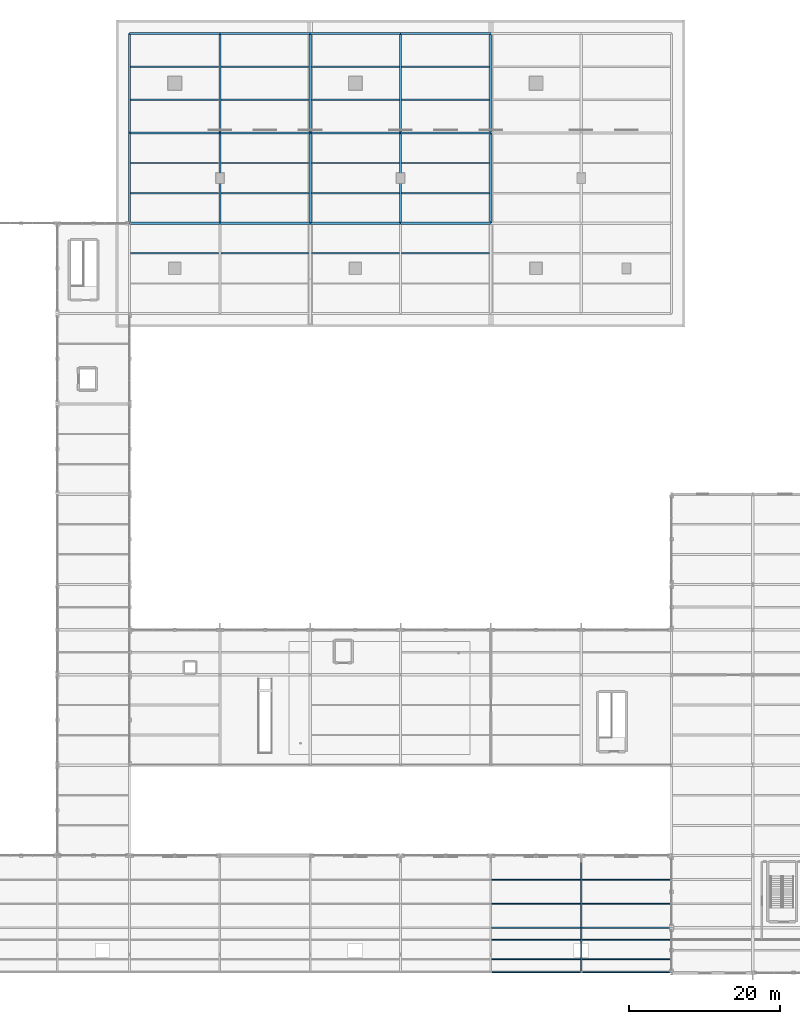
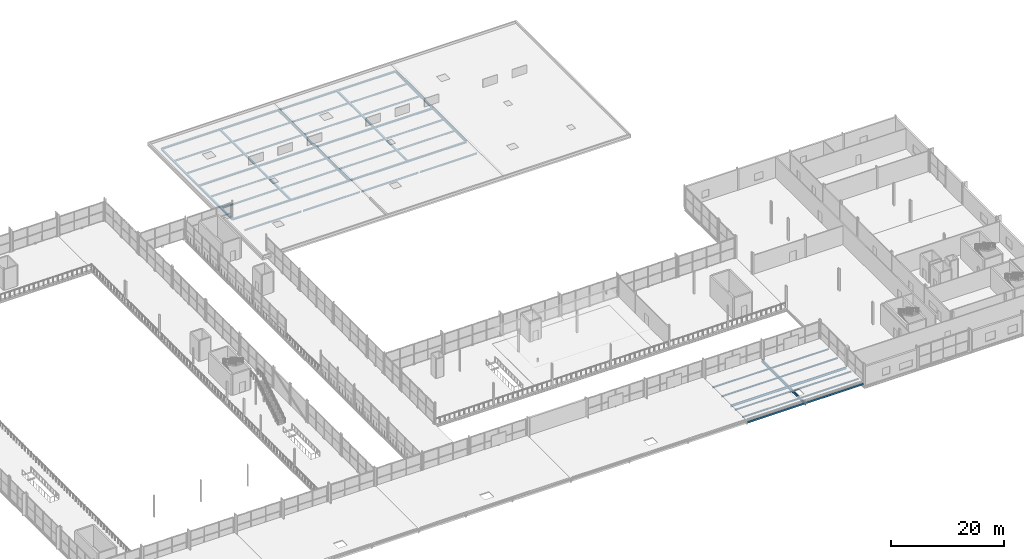
# One storey, part 96 of 159: 56 beams.
"""IFC4 building model written with IfcOpenShell, lengths in metres."""

from ifc_helpers import new_model, si_unit, direction, frame, origin, origin_2d, place, context, subcontext, project, spatial, hollow_rectangle, i_section, extrude, material, material_profile, profile_set, type_object, element, save


model = new_model("IFC4")

# Units and contexts
model_context = context("Model", 3, precision=1e-05, world=origin(), true_north=direction((0.0, 1.0)))
body_context = subcontext(model_context, "Body", "Model", "MODEL_VIEW")
ifc_project = project(units=[si_unit("LENGTHUNIT", "METRE"), si_unit("AREAUNIT", "SQUARE_METRE"), si_unit("VOLUMEUNIT", "CUBIC_METRE"), si_unit("PLANEANGLEUNIT", "RADIAN"), si_unit("MASSUNIT", "GRAM", prefix="KILO")], contexts=[model_context])

# Site, building, storey
site_placement = place(None, origin())
site = spatial("IfcSite", under=ifc_project, at=site_placement, CompositionType="ELEMENT")
building_placement = place(site_placement, origin())
building = spatial("IfcBuilding", under=site, at=building_placement, Name="Merenkruunu Market Hall", CompositionType="ELEMENT")
storey_placement = place(building_placement, frame((0.0, 0.0, 5.39990234375)))
storey = spatial("IfcBuildingStorey", under=building, at=storey_placement, Name="L01", CompositionType="ELEMENT", Elevation=5.39990234375)

# Beams
ifc_material_1 = material(Name="Steel S355ML", Category="steel")
ifc_material_profile_1 = material_profile(ifc_material_1, hollow_rectangle(XDim=0.199951171875, YDim=0.39990234375, WallThickness=0.01611328125, InnerFilletRadius=0.01611328125, OuterFilletRadius=0.031982421875, at=origin_2d()), Name="RHS 400x200x16")
ifc_profile_set_1 = profile_set([ifc_material_profile_1], Name="Steel S355ML")
beam_type_1 = type_object("IfcBeamType", Name="Perimeter Spandrel Beam SP01", PredefinedType="SPANDREL", material=ifc_profile_set_1)
for number, where, z_axis, x_axis, name in (
    (1, (124.9130859375, 0.1201171875, 0.239990234375), (1.0, 0.0, 0.0), (0.0, 1.0, 0.0), "BM-L01-SP01-1167"),
    (2, (136.9130859375, 0.1201171875, 0.239990234375), (1.0, 0.0, 0.0), (0.0, 1.0, 0.0), "BM-L01-SP01-1173"),
):
    element("IfcBeam", number, at=place(storey_placement, frame(where, z_axis=z_axis, x_axis=x_axis)), inside=storey, type_object=beam_type_1, Name=name, PredefinedType="SPANDREL", context=body_context, shape_type="SweptSolid", body=[
        extrude(hollow_rectangle(XDim=0.199951171875, YDim=0.39990234375, WallThickness=0.01611328125, InnerFilletRadius=0.01611328125, OuterFilletRadius=0.031982421875, at=origin_2d()), origin(), (0.0, 0.0, 1.0), 11.77392578125),
    ])
ifc_material_2 = material(Name="Steel S355J2", Category="steel")
ifc_material_profile_2 = material_profile(ifc_material_2, i_section(OverallWidth=0.300048828125, OverallDepth=0.360107421875, WebThickness=0.012451171875, FlangeThickness=0.0224609375, FilletRadius=0.027099609375, at=origin_2d()), Name="HEB 360")
ifc_profile_set_2 = profile_set([ifc_material_profile_2], Name="Steel S355J2")
beam_type_2 = type_object("IfcBeamType", Name="Primary Floor Girder B04", PredefinedType="BEAM", material=ifc_profile_set_2)
for number, where, z_axis, x_axis, name in (
    (3, (76.800048828125, 99.60009765625, 0.72021484375), (1.0, 0.0, 0.0), (0.0, 1.0, 0.0), "BM-L01-B04-0967"),
    (4, (88.800048828125, 99.60009765625, 0.72021484375), (1.0, 0.0, 0.0), (0.0, 1.0, 0.0), "BM-L01-B04-0968"),
    (5, (100.800048828125, 99.60009765625, 0.72021484375), (1.0, 0.0, 0.0), (0.0, 1.0, 0.0), "BM-L01-B04-0969"),
    (6, (112.800048828125, 99.60009765625, 0.72021484375), (1.0, 0.0, 0.0), (0.0, 1.0, 0.0), "BM-L01-B04-0970"),
    (7, (76.800048828125, 111.60009765625, 0.72021484375), (1.0, 0.0, 0.0), (0.0, 1.0, 0.0), "BM-L01-B04-0973"),
    (8, (88.800048828125, 111.60009765625, 0.72021484375), (1.0, 0.0, 0.0), (0.0, 1.0, 0.0), "BM-L01-B04-0974"),
    (9, (100.800048828125, 111.60009765625, 0.72021484375), (1.0, 0.0, 0.0), (0.0, 1.0, 0.0), "BM-L01-B04-0975"),
    (10, (112.800048828125, 111.60009765625, 0.72021484375), (1.0, 0.0, 0.0), (0.0, 1.0, 0.0), "BM-L01-B04-0976"),
    (11, (76.800048828125, 124.800048828125, 0.72021484375), (1.0, 0.0, 0.0), (0.0, 1.0, 0.0), "BM-L01-B04-0979"),
    (12, (88.800048828125, 124.800048828125, 0.72021484375), (1.0, 0.0, 0.0), (0.0, 1.0, 0.0), "BM-L01-B04-0980"),
    (13, (100.800048828125, 124.800048828125, 0.72021484375), (1.0, 0.0, 0.0), (0.0, 1.0, 0.0), "BM-L01-B04-0981"),
    (14, (112.800048828125, 124.800048828125, 0.72021484375), (1.0, 0.0, 0.0), (0.0, 1.0, 0.0), "BM-L01-B04-0982"),
    (15, (76.800048828125, 99.60009765625, 0.72021484375), (0.0, 1.0, 0.0), (-1.0, 0.0, 0.0), "BM-L01-B04-0986"),
):
    element("IfcBeam", number, at=place(storey_placement, frame(where, z_axis=z_axis, x_axis=x_axis)), inside=storey, type_object=beam_type_2, Name=name, PredefinedType="BEAM", context=body_context, shape_type="SweptSolid", body=[
        extrude(i_section(OverallWidth=0.300048828125, OverallDepth=0.360107421875, WebThickness=0.012451171875, FlangeThickness=0.0224609375, FilletRadius=0.027099609375, at=origin_2d()), origin(), (0.0, 0.0, 1.0), 12.0),
    ])
beam_1_placement = place(storey_placement, frame((76.800048828125, 111.60009765625, 0.72021484375), z_axis=(0.0, 1.0, 0.0), x_axis=(-1.0, 0.0, 0.0)))
element("IfcBeam", 16, at=beam_1_placement, inside=storey, type_object=beam_type_2, Name="BM-L01-B04-0987", PredefinedType="BEAM", context=body_context, shape_type="SweptSolid", body=[
    extrude(i_section(OverallWidth=0.300048828125, OverallDepth=0.360107421875, WebThickness=0.012451171875, FlangeThickness=0.0224609375, FilletRadius=0.027099609375, at=origin_2d()), origin(), (0.0, 0.0, 1.0), 13.199951171875),
])
beam_2_placement = place(storey_placement, frame((88.800048828125, 99.60009765625, 0.72021484375), z_axis=(0.0, 1.0, 0.0), x_axis=(-1.0, 0.0, 0.0)))
element("IfcBeam", 17, at=beam_2_placement, inside=storey, type_object=beam_type_2, Name="BM-L01-B04-0989", PredefinedType="BEAM", context=body_context, shape_type="SweptSolid", body=[
    extrude(i_section(OverallWidth=0.300048828125, OverallDepth=0.360107421875, WebThickness=0.012451171875, FlangeThickness=0.0224609375, FilletRadius=0.027099609375, at=origin_2d()), origin(), (0.0, 0.0, 1.0), 12.0),
])
beam_3_placement = place(storey_placement, frame((88.800048828125, 111.60009765625, 0.72021484375), z_axis=(0.0, 1.0, 0.0), x_axis=(-1.0, 0.0, 0.0)))
element("IfcBeam", 18, at=beam_3_placement, inside=storey, type_object=beam_type_2, Name="BM-L01-B04-0990", PredefinedType="BEAM", context=body_context, shape_type="SweptSolid", body=[
    extrude(i_section(OverallWidth=0.300048828125, OverallDepth=0.360107421875, WebThickness=0.012451171875, FlangeThickness=0.0224609375, FilletRadius=0.027099609375, at=origin_2d()), origin(), (0.0, 0.0, 1.0), 13.199951171875),
])
beam_4_placement = place(storey_placement, frame((100.800048828125, 99.60009765625, 0.72021484375), z_axis=(0.0, 1.0, 0.0), x_axis=(-1.0, 0.0, 0.0)))
element("IfcBeam", 19, at=beam_4_placement, inside=storey, type_object=beam_type_2, Name="BM-L01-B04-0992", PredefinedType="BEAM", context=body_context, shape_type="SweptSolid", body=[
    extrude(i_section(OverallWidth=0.300048828125, OverallDepth=0.360107421875, WebThickness=0.012451171875, FlangeThickness=0.0224609375, FilletRadius=0.027099609375, at=origin_2d()), origin(), (0.0, 0.0, 1.0), 12.0),
])
beam_5_placement = place(storey_placement, frame((100.800048828125, 111.60009765625, 0.72021484375), z_axis=(0.0, 1.0, 0.0), x_axis=(-1.0, 0.0, 0.0)))
element("IfcBeam", 20, at=beam_5_placement, inside=storey, type_object=beam_type_2, Name="BM-L01-B04-0993", PredefinedType="BEAM", context=body_context, shape_type="SweptSolid", body=[
    extrude(i_section(OverallWidth=0.300048828125, OverallDepth=0.360107421875, WebThickness=0.012451171875, FlangeThickness=0.0224609375, FilletRadius=0.027099609375, at=origin_2d()), origin(), (0.0, 0.0, 1.0), 13.199951171875),
])
beam_6_placement = place(storey_placement, frame((112.800048828125, 99.60009765625, 0.72021484375), z_axis=(0.0, 1.0, 0.0), x_axis=(-1.0, 0.0, 0.0)))
element("IfcBeam", 21, at=beam_6_placement, inside=storey, type_object=beam_type_2, Name="BM-L01-B04-0995", PredefinedType="BEAM", context=body_context, shape_type="SweptSolid", body=[
    extrude(i_section(OverallWidth=0.300048828125, OverallDepth=0.360107421875, WebThickness=0.012451171875, FlangeThickness=0.0224609375, FilletRadius=0.027099609375, at=origin_2d()), origin(), (0.0, 0.0, 1.0), 12.0),
])
beam_7_placement = place(storey_placement, frame((112.800048828125, 111.60009765625, 0.72021484375), z_axis=(0.0, 1.0, 0.0), x_axis=(-1.0, 0.0, 0.0)))
element("IfcBeam", 22, at=beam_7_placement, inside=storey, type_object=beam_type_2, Name="BM-L01-B04-0996", PredefinedType="BEAM", context=body_context, shape_type="SweptSolid", body=[
    extrude(i_section(OverallWidth=0.300048828125, OverallDepth=0.360107421875, WebThickness=0.012451171875, FlangeThickness=0.0224609375, FilletRadius=0.027099609375, at=origin_2d()), origin(), (0.0, 0.0, 1.0), 13.199951171875),
])
beam_8_placement = place(storey_placement, frame((124.800048828125, 99.60009765625, 0.72021484375), z_axis=(0.0, 1.0, 0.0), x_axis=(-1.0, 0.0, 0.0)))
element("IfcBeam", 23, at=beam_8_placement, inside=storey, type_object=beam_type_2, Name="BM-L01-B04-0998", PredefinedType="BEAM", context=body_context, shape_type="SweptSolid", body=[
    extrude(i_section(OverallWidth=0.300048828125, OverallDepth=0.360107421875, WebThickness=0.012451171875, FlangeThickness=0.0224609375, FilletRadius=0.027099609375, at=origin_2d()), origin(), (0.0, 0.0, 1.0), 12.0),
])
beam_9_placement = place(storey_placement, frame((124.800048828125, 111.60009765625, 0.72021484375), z_axis=(0.0, 1.0, 0.0), x_axis=(-1.0, 0.0, 0.0)))
element("IfcBeam", 24, at=beam_9_placement, inside=storey, type_object=beam_type_2, Name="BM-L01-B04-0999", PredefinedType="BEAM", context=body_context, shape_type="SweptSolid", body=[
    extrude(i_section(OverallWidth=0.300048828125, OverallDepth=0.360107421875, WebThickness=0.012451171875, FlangeThickness=0.0224609375, FilletRadius=0.027099609375, at=origin_2d()), origin(), (0.0, 0.0, 1.0), 13.199951171875),
])
ifc_material_profile_3 = material_profile(ifc_material_1, i_section(OverallWidth=0.219970703125, OverallDepth=0.60009765625, WebThickness=0.011962890625, FlangeThickness=0.01904296875, FilletRadius=0.02392578125, at=origin_2d()), Name="IPE 600")
ifc_profile_set_3 = profile_set([ifc_material_profile_3], Name="Steel S355ML")
beam_type_3 = type_object("IfcBeamType", Name="Primary Floor Girder B10", PredefinedType="BEAM", material=ifc_profile_set_3)
beam_10_placement = place(storey_placement, frame((136.800048828125, 15.60009765625, 0.14013671875), z_axis=(0.0, -1.0, 0.0), x_axis=(1.0, 0.0, 0.0)))
element("IfcBeam", 25, at=beam_10_placement, inside=storey, type_object=beam_type_3, Name="BM-L01-B10-1090", PredefinedType="BEAM", context=body_context, shape_type="SweptSolid", body=[
    extrude(i_section(OverallWidth=0.219970703125, OverallDepth=0.60009765625, WebThickness=0.011962890625, FlangeThickness=0.01904296875, FilletRadius=0.02392578125, at=origin_2d()), origin(), (0.0, 0.0, 1.0), 9.60009765625),
])
beam_11_placement = place(storey_placement, frame((136.800048828125, 6.0, 0.14013671875), z_axis=(0.0, -1.0, 0.0), x_axis=(1.0, 0.0, 0.0)))
element("IfcBeam", 26, at=beam_11_placement, inside=storey, type_object=beam_type_3, Name="BM-L01-B10-1091", PredefinedType="BEAM", context=body_context, shape_type="SweptSolid", body=[
    extrude(i_section(OverallWidth=0.219970703125, OverallDepth=0.60009765625, WebThickness=0.011962890625, FlangeThickness=0.01904296875, FilletRadius=0.02392578125, at=origin_2d()), origin(), (0.0, 0.0, 1.0), 6.0),
])
ifc_material_profile_4 = material_profile(ifc_material_2, i_section(OverallWidth=0.199951171875, OverallDepth=0.5, WebThickness=0.01025390625, FlangeThickness=0.01611328125, FilletRadius=0.02099609375, at=origin_2d()), Name="IPE 500")
ifc_profile_set_4 = profile_set([ifc_material_profile_4], Name="Steel S355J2")
beam_type_4 = type_object("IfcBeamType", Name="Primary Floor Girder B11", PredefinedType="BEAM", material=ifc_profile_set_4)
for number, where, z_axis, x_axis, name in (
    (27, (124.9130859375, 6.0, 0.190185546875), (1.0, 0.0, 0.0), (0.0, 1.0, 0.0), "BM-L01-B11-1166"),
    (28, (136.9130859375, 6.0, 0.190185546875), (1.0, 0.0, 0.0), (0.0, 1.0, 0.0), "BM-L01-B11-1172"),
):
    element("IfcBeam", number, at=place(storey_placement, frame(where, z_axis=z_axis, x_axis=x_axis)), inside=storey, type_object=beam_type_4, Name=name, PredefinedType="BEAM", context=body_context, shape_type="SweptSolid", body=[
        extrude(i_section(OverallWidth=0.199951171875, OverallDepth=0.5, WebThickness=0.01025390625, FlangeThickness=0.01611328125, FilletRadius=0.02099609375, at=origin_2d()), origin(), (0.0, 0.0, 1.0), 11.77392578125),
    ])
ifc_material_profile_5 = material_profile(ifc_material_2, i_section(OverallWidth=0.169921875, OverallDepth=0.360107421875, WebThickness=0.008056640625, FlangeThickness=0.0126953125, FilletRadius=0.01806640625, at=origin_2d()), Name="IPE 360")
ifc_profile_set_5 = profile_set([ifc_material_profile_5], Name="Steel S355J2")
beam_type_5 = type_object("IfcBeamType", Name="Secondary Floor Joist J03", PredefinedType="JOIST", material=ifc_profile_set_5)
for number, where, z_axis, x_axis, name in (
    (29, (76.952880859375, 95.60009765625, 0.72021484375), (1.0, 0.0, 0.0), (0.0, 1.0, 0.0), "BM-L01-J03-1007"),
    (30, (76.952880859375, 103.60009765625, 0.72021484375), (1.0, 0.0, 0.0), (0.0, 1.0, 0.0), "BM-L01-J03-1008"),
    (31, (76.952880859375, 107.60009765625, 0.72021484375), (1.0, 0.0, 0.0), (0.0, 1.0, 0.0), "BM-L01-J03-1009"),
    (32, (76.952880859375, 116.0, 0.72021484375), (1.0, 0.0, 0.0), (0.0, 1.0, 0.0), "BM-L01-J03-1010"),
    (33, (76.952880859375, 120.39990234375, 0.72021484375), (1.0, 0.0, 0.0), (0.0, 1.0, 0.0), "BM-L01-J03-1011"),
    (34, (88.952880859375, 95.60009765625, 0.72021484375), (1.0, 0.0, 0.0), (0.0, 1.0, 0.0), "BM-L01-J03-1013"),
    (35, (88.952880859375, 103.60009765625, 0.72021484375), (1.0, 0.0, 0.0), (0.0, 1.0, 0.0), "BM-L01-J03-1014"),
    (36, (88.952880859375, 107.60009765625, 0.72021484375), (1.0, 0.0, 0.0), (0.0, 1.0, 0.0), "BM-L01-J03-1015"),
    (37, (88.952880859375, 116.0, 0.72021484375), (1.0, 0.0, 0.0), (0.0, 1.0, 0.0), "BM-L01-J03-1016"),
    (38, (88.952880859375, 120.39990234375, 0.72021484375), (1.0, 0.0, 0.0), (0.0, 1.0, 0.0), "BM-L01-J03-1017"),
    (39, (100.952880859375, 95.60009765625, 0.72021484375), (1.0, 0.0, 0.0), (0.0, 1.0, 0.0), "BM-L01-J03-1019"),
    (40, (100.952880859375, 103.60009765625, 0.72021484375), (1.0, 0.0, 0.0), (0.0, 1.0, 0.0), "BM-L01-J03-1020"),
    (41, (100.952880859375, 107.60009765625, 0.72021484375), (1.0, 0.0, 0.0), (0.0, 1.0, 0.0), "BM-L01-J03-1021"),
    (42, (100.952880859375, 116.0, 0.72021484375), (1.0, 0.0, 0.0), (0.0, 1.0, 0.0), "BM-L01-J03-1022"),
    (43, (100.952880859375, 120.39990234375, 0.72021484375), (1.0, 0.0, 0.0), (0.0, 1.0, 0.0), "BM-L01-J03-1023"),
    (44, (112.952880859375, 95.60009765625, 0.72021484375), (1.0, 0.0, 0.0), (0.0, 1.0, 0.0), "BM-L01-J03-1025"),
    (45, (112.952880859375, 103.60009765625, 0.72021484375), (1.0, 0.0, 0.0), (0.0, 1.0, 0.0), "BM-L01-J03-1026"),
    (46, (112.952880859375, 107.60009765625, 0.72021484375), (1.0, 0.0, 0.0), (0.0, 1.0, 0.0), "BM-L01-J03-1027"),
    (47, (112.952880859375, 116.0, 0.72021484375), (1.0, 0.0, 0.0), (0.0, 1.0, 0.0), "BM-L01-J03-1028"),
    (48, (112.952880859375, 120.39990234375, 0.72021484375), (1.0, 0.0, 0.0), (0.0, 1.0, 0.0), "BM-L01-J03-1029"),
):
    element("IfcBeam", number, at=place(storey_placement, frame(where, z_axis=z_axis, x_axis=x_axis)), inside=storey, type_object=beam_type_5, Name=name, PredefinedType="JOIST", context=body_context, shape_type="SweptSolid", body=[
        extrude(i_section(OverallWidth=0.169921875, OverallDepth=0.360107421875, WebThickness=0.008056640625, FlangeThickness=0.0126953125, FilletRadius=0.01806640625, at=origin_2d()), origin(), (0.0, 0.0, 1.0), 11.694091796875),
    ])
ifc_material_profile_6 = material_profile(ifc_material_2, i_section(OverallWidth=0.1201171875, OverallDepth=0.239990234375, WebThickness=0.006103515625, FlangeThickness=0.009765625, FilletRadius=0.014892578125, at=origin_2d()), Name="IPE 240")
ifc_profile_set_6 = profile_set([ifc_material_profile_6], Name="Steel S355J2")
beam_type_6 = type_object("IfcBeamType", Name="Secondary Floor Joist J05", PredefinedType="JOIST", material=ifc_profile_set_6)
for number, where, z_axis, x_axis, name in (
    (49, (124.9130859375, 1.800048828125, 0.320068359375), (1.0, 0.0, 0.0), (0.0, 1.0, 0.0), "BM-L01-J05-1168"),
    (50, (124.9130859375, 4.39990234375, 0.320068359375), (1.0, 0.0, 0.0), (0.0, 1.0, 0.0), "BM-L01-J05-1169"),
    (51, (124.9130859375, 9.199951171875, 0.320068359375), (1.0, 0.0, 0.0), (0.0, 1.0, 0.0), "BM-L01-J05-1170"),
    (52, (124.9130859375, 12.39990234375, 0.320068359375), (1.0, 0.0, 0.0), (0.0, 1.0, 0.0), "BM-L01-J05-1171"),
    (53, (136.9130859375, 1.800048828125, 0.320068359375), (1.0, 0.0, 0.0), (0.0, 1.0, 0.0), "BM-L01-J05-1174"),
    (54, (136.9130859375, 4.39990234375, 0.320068359375), (1.0, 0.0, 0.0), (0.0, 1.0, 0.0), "BM-L01-J05-1175"),
    (55, (136.9130859375, 9.199951171875, 0.320068359375), (1.0, 0.0, 0.0), (0.0, 1.0, 0.0), "BM-L01-J05-1176"),
    (56, (136.9130859375, 12.39990234375, 0.320068359375), (1.0, 0.0, 0.0), (0.0, 1.0, 0.0), "BM-L01-J05-1177"),
):
    element("IfcBeam", number, at=place(storey_placement, frame(where, z_axis=z_axis, x_axis=x_axis)), inside=storey, type_object=beam_type_6, Name=name, PredefinedType="JOIST", context=body_context, shape_type="SweptSolid", body=[
        extrude(i_section(OverallWidth=0.1201171875, OverallDepth=0.239990234375, WebThickness=0.006103515625, FlangeThickness=0.009765625, FilletRadius=0.014892578125, at=origin_2d()), origin(), (0.0, 0.0, 1.0), 11.77392578125),
    ])

save(model, "model.ifc")
